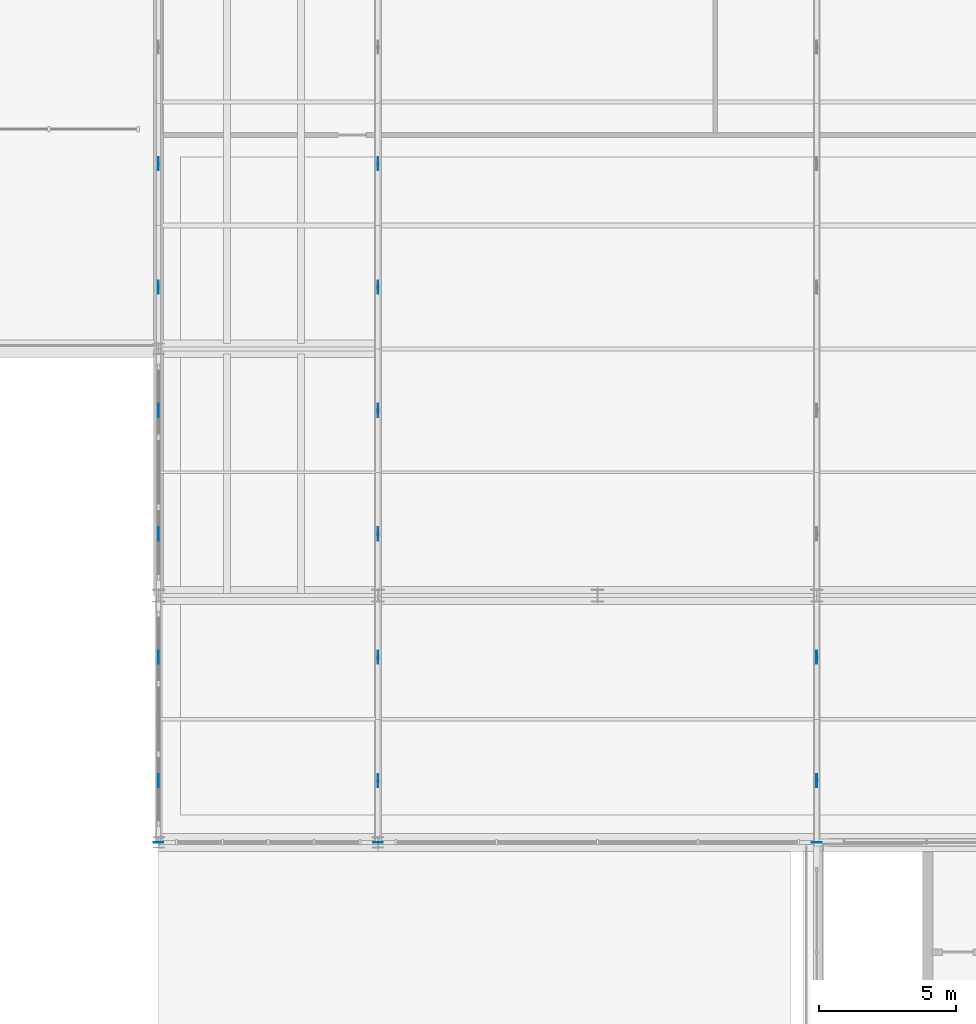
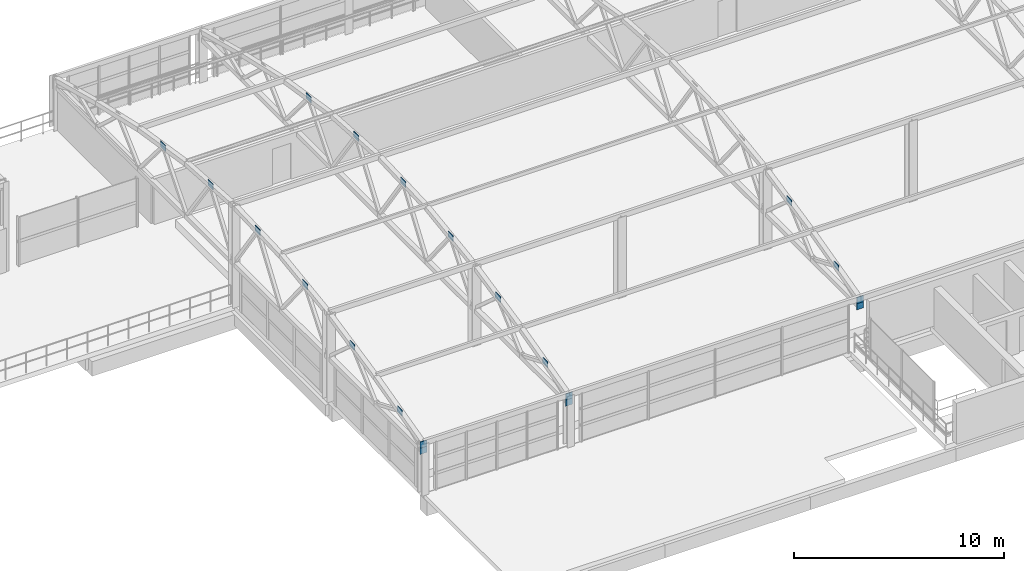
# One storey, part 30 of 50: 20 plates.
"""IFC4 building model written with IfcOpenShell, lengths in metres."""

from ifc_helpers import new_model, si_unit, derived_unit, direction, frame, origin, origin_2d, place, context, subcontext, project, spatial, rectangle, extrude, material, layer, layer_set, type_object, element, save


model = new_model("IFC4")

# Units and contexts
model_context = context("Model", 3, precision=1e-05, world=origin(), true_north=direction((0.0, 1.0)))
body_context = subcontext(model_context, "Body", "Model", "MODEL_VIEW")
ifc_project = project(units=[si_unit("LENGTHUNIT", "METRE"), si_unit("AREAUNIT", "SQUARE_METRE"), si_unit("VOLUMEUNIT", "CUBIC_METRE"), si_unit("PLANEANGLEUNIT", "RADIAN"), si_unit("MASSUNIT", "GRAM", prefix="KILO"), si_unit("THERMODYNAMICTEMPERATUREUNIT", "KELVIN"), derived_unit("THERMALTRANSMITTANCEUNIT", [(si_unit("POWERUNIT", "WATT"), 1), (si_unit("AREAUNIT", "SQUARE_METRE"), -1), (si_unit("THERMODYNAMICTEMPERATUREUNIT", "KELVIN"), -1)])], contexts=[model_context])

# Site, building, storey
site_placement = place(None, origin())
site = spatial("IfcSite", under=ifc_project, at=site_placement, CompositionType="ELEMENT")
building_placement = place(site_placement, origin())
building = spatial("IfcBuilding", under=site, at=building_placement, Name="Haiyu Intermodal Mobility Hub", CompositionType="ELEMENT")
storey_placement = place(building_placement, frame((0.0, 0.0, 25.10009765625)))
storey = spatial("IfcBuildingStorey", under=building, at=storey_placement, Name="L06", CompositionType="ELEMENT", Elevation=25.10009765625)

# Plates
ifc_material = material(Name="Steel Q355C", Category="steel")
ifc_layer_1 = layer(ifc_material, 0.031982421875)
ifc_layer_set_1 = layer_set([ifc_layer_1], Name="Steel Q355C")
plate_type_1 = type_object("IfcPlateType", Name="PLT-GP02-INT", PredefinedType="USERDEFINED", material=ifc_layer_set_1)
for number, where, z_axis, x_axis, name in (
    (1, (38.0, 113.0, 2.6796875), (0.0, 0.0, 1.0), (1.0, 0.0, 0.0), "Pavilion Truss End Cap 1-1"),
    (2, (38.0, 113.0, 2.31982421875), (0.0, 0.0, 1.0), (1.0, 0.0, 0.0), "Pavilion Truss End Cap 1-3"),
    (3, (46.0, 113.0, 2.6796875), (0.0, 0.0, 1.0), (1.0, 0.0, 0.0), "Pavilion Truss End Cap 2-1"),
    (4, (46.0, 113.0, 2.31982421875), (0.0, 0.0, 1.0), (1.0, 0.0, 0.0), "Pavilion Truss End Cap 2-3"),
    (5, (62.0, 113.0, 2.6796875), (0.0, 0.0, 1.0), (1.0, 0.0, 0.0), "Pavilion Truss End Cap 3-1"),
    (6, (62.0, 113.0, 2.31982421875), (0.0, 0.0, 1.0), (1.0, 0.0, 0.0), "Pavilion Truss End Cap 3-3"),
):
    element("IfcPlate", number, at=place(storey_placement, frame(where, z_axis=z_axis, x_axis=x_axis)), inside=storey, type_object=plate_type_1, Name=name, ObjectType="GUSSET PLATE", PredefinedType="USERDEFINED", context=body_context, shape_type="SweptSolid", body=[
        extrude(rectangle(XDim=0.360107421875, YDim=0.028076171875, at=origin_2d()), origin(), (0.0, 0.0, 1.0), 0.360107421875),
    ])
ifc_layer_2 = layer(ifc_material, 0.028076171875)
ifc_layer_set_2 = layer_set([ifc_layer_2], Name="Steel Q355C")
plate_type_2 = type_object("IfcPlateType", Name="PLT-GP03", PredefinedType="USERDEFINED", material=ifc_layer_set_2)
for number, where, z_axis, x_axis, name in (
    (7, (38.0, 115.25, 3.27001953125), (0.0, 0.0, 1.0), (1.0, 0.0, 0.0), "PLT-PAV-033"),
    (8, (38.0, 119.75, 4.3359375), (0.0, 0.0, 1.0), (1.0, 0.0, 0.0), "PLT-PAV-034"),
    (9, (38.0, 124.25, 5.13671875), (0.0, 0.0, 1.0), (1.0, 0.0, 0.0), "PLT-PAV-035"),
    (10, (38.0, 128.75, 5.544921875), (0.0, 0.0, 1.0), (1.0, 0.0, 0.0), "PLT-PAV-036"),
    (11, (38.0, 133.25, 5.49169921875), (0.0, 0.0, 1.0), (1.0, 0.0, 0.0), "PLT-PAV-037"),
    (12, (38.0, 137.75, 4.98974609375), (0.0, 0.0, 1.0), (1.0, 0.0, 0.0), "PLT-PAV-038"),
    (13, (62.0, 115.25, 3.27001953125), (0.0, 0.0, 1.0), (1.0, 0.0, 0.0), "PLT-PAV-049"),
    (14, (62.0, 119.75, 4.3359375), (0.0, 0.0, 1.0), (1.0, 0.0, 0.0), "PLT-PAV-050"),
):
    element("IfcPlate", number, at=place(storey_placement, frame(where, z_axis=z_axis, x_axis=x_axis)), inside=storey, type_object=plate_type_2, Name=name, ObjectType="GUSSET PLATE", PredefinedType="USERDEFINED", context=body_context, shape_type="SweptSolid", body=[
        extrude(rectangle(XDim=0.028076171875, YDim=0.47998046875, at=origin_2d()), origin(), (0.0, 0.0, 1.0), 0.340087890625),
    ])
ifc_layer_3 = layer(ifc_material, 0.02587890625)
ifc_layer_set_3 = layer_set([ifc_layer_3], Name="Steel Q355C")
plate_type_3 = type_object("IfcPlateType", Name="PLT-GP06-INT", PredefinedType="USERDEFINED", material=ifc_layer_set_3)
for number, where, z_axis, x_axis, name in (
    (15, (46.0, 115.25, 3.27001953125), (0.0, 0.0, 1.0), (1.0, 0.0, 0.0), "PLT-PAV-041"),
    (16, (46.0, 119.75, 4.3359375), (0.0, 0.0, 1.0), (1.0, 0.0, 0.0), "PLT-PAV-042"),
    (17, (46.0, 124.25, 5.13671875), (0.0, 0.0, 1.0), (1.0, 0.0, 0.0), "PLT-PAV-043"),
    (18, (46.0, 128.75, 5.544921875), (0.0, 0.0, 1.0), (1.0, 0.0, 0.0), "PLT-PAV-044"),
    (19, (46.0, 133.25, 5.49169921875), (0.0, 0.0, 1.0), (1.0, 0.0, 0.0), "PLT-PAV-045"),
    (20, (46.0, 137.75, 4.98974609375), (0.0, 0.0, 1.0), (1.0, 0.0, 0.0), "PLT-PAV-046"),
):
    element("IfcPlate", number, at=place(storey_placement, frame(where, z_axis=z_axis, x_axis=x_axis)), inside=storey, type_object=plate_type_3, Name=name, ObjectType="GUSSET PLATE", PredefinedType="USERDEFINED", context=body_context, shape_type="SweptSolid", body=[
        extrude(rectangle(XDim=0.028076171875, YDim=0.47998046875, at=origin_2d()), origin(), (0.0, 0.0, 1.0), 0.340087890625),
    ])

save(model, "model.ifc")
